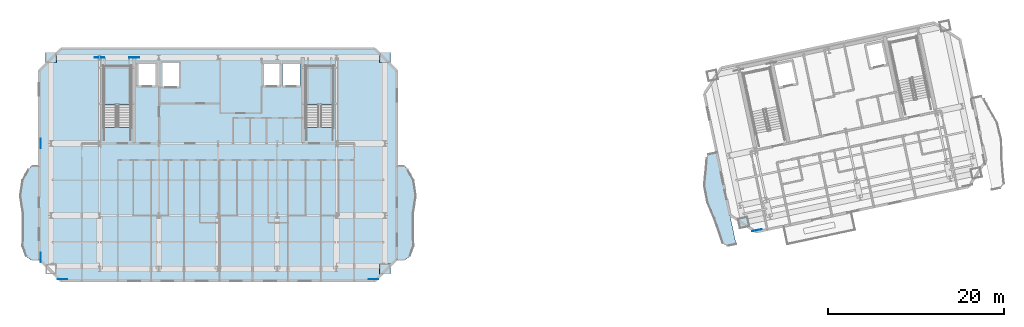
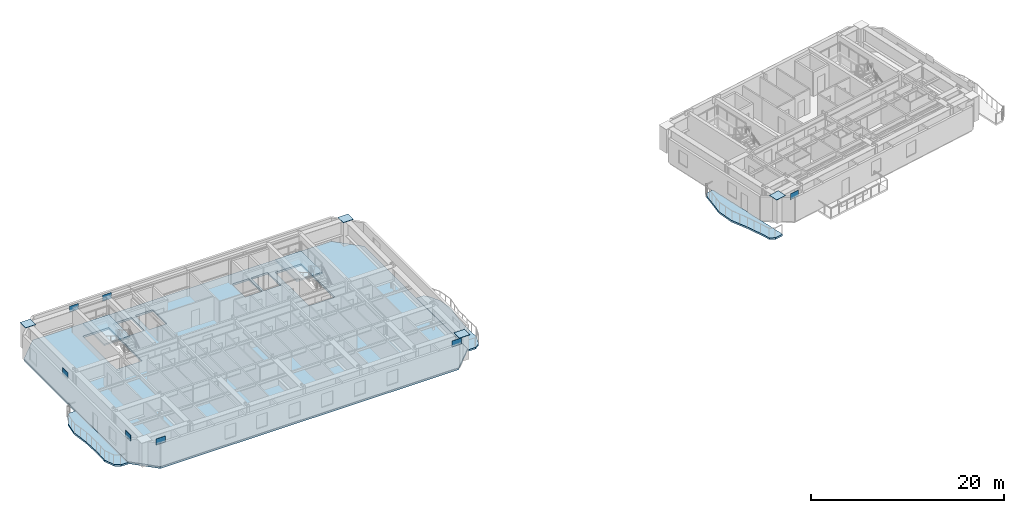
# One storey, part 5 of 16: 11 plates, 6 slabs, 2 elements without a shape of their own.
"""IFC4 building model written with IfcOpenShell, lengths in metres."""

import ifcopenshell
import ifcopenshell.guid

model = None  # the IFC model being written
_history = None  # IfcOwnerHistory: only IFC2X3 demands one
_inside = {}  # id of a spatial element -> (the spatial element, [elements in it])
_under = {}  # id of a project, library or spatial element -> (it, [spatial elements below it])
_declared = {}  # id of a project -> (the project, [libraries it declares])
_typed = {}  # id of a type object -> (the type object, [elements of that type])
_made_of = {}  # id of a material, layer set ... -> (it, [elements and type objects made of it])


def new_model(schema):
    """Start an empty IFC model of exactly this schema.

    Asked for "IFC4X3", IfcOpenShell would pick the latest addendum, in which some entities
    have other attributes; the version numbers below select the first issue.
    IFC2X3 requires an IfcOwnerHistory on every rooted entity: one is made here for all.
    """
    global model, _history
    if schema == "IFC4X3":
        model = ifcopenshell.file(schema_version=(4, 3, 0, 0))
    else:
        model = ifcopenshell.file(schema=schema)
    _inside.clear()
    _under.clear()
    _declared.clear()
    _typed.clear()
    _made_of.clear()
    _history = None
    if model.schema == "IFC2X3":
        org = make("IfcOrganization", Name="unknown")
        user = make(
            "IfcPersonAndOrganization",
            ThePerson=make("IfcPerson", FamilyName="unknown"),
            TheOrganization=org,
        )
        app = make(
            "IfcApplication",
            ApplicationDeveloper=org,
            Version="unknown",
            ApplicationFullName="unknown",
            ApplicationIdentifier="unknown",
        )
        _history = make(
            "IfcOwnerHistory",
            OwningUser=user,
            OwningApplication=app,
            ChangeAction="ADDED",
            CreationDate=0,
        )
    return model


def make(cls, **values):
    """One entity of the class cls with the attributes given. An attribute that is None is left unset."""
    return model.create_entity(
        cls, **{name: value for name, value in values.items() if value is not None}
    )


def rooted(cls, **values):
    """An entity with a GlobalId (a new one), such as an element, a storey or a relation."""
    return make(cls, GlobalId=ifcopenshell.guid.new(), OwnerHistory=_history, **values)


def si_unit(unit_type, name, prefix=None):
    """IfcSIUnit, for example si_unit("LENGTHUNIT", "METRE", prefix="MILLI")."""
    return make("IfcSIUnit", UnitType=unit_type, Prefix=prefix, Name=name)


def assignment(units):
    """IfcUnitAssignment: the units of a project."""
    return None if units is None else make("IfcUnitAssignment", Units=units)


def point(xyz):
    """IfcCartesianPoint."""
    return None if xyz is None else make("IfcCartesianPoint", Coordinates=xyz)


def direction(xyz):
    """IfcDirection."""
    return None if xyz is None else make("IfcDirection", DirectionRatios=xyz)


def frame(location, z_axis=None, x_axis=None):
    """IfcAxis2Placement3D, a coordinate frame: its origin and axes. An axis left out is left unset."""
    return make(
        "IfcAxis2Placement3D",
        Location=point(location),
        Axis=direction(z_axis),
        RefDirection=direction(x_axis),
    )


def frame_2d(location, x_axis=None):
    """IfcAxis2Placement2D, a coordinate frame in the plane: its origin and x axis."""
    return make(
        "IfcAxis2Placement2D", Location=point(location), RefDirection=direction(x_axis)
    )


def origin():
    """The frame at (0, 0, 0) with its axes left unset."""
    return frame((0.0, 0.0, 0.0))


def origin_2d():
    """The frame at (0, 0) in the plane with its x axis left unset."""
    return frame_2d((0.0, 0.0))


def place(relative_to, where):
    """IfcLocalPlacement: puts the frame where relative to a parent placement (None: the world)."""
    return make(
        "IfcLocalPlacement", PlacementRelTo=relative_to, RelativePlacement=where
    )


def context(
    kind, dimensions, precision=None, world=None, true_north=None, identifier=None
):
    """IfcGeometricRepresentationContext, for example the 3D "Model" context."""
    return make(
        "IfcGeometricRepresentationContext",
        ContextIdentifier=identifier,
        ContextType=kind,
        CoordinateSpaceDimension=dimensions,
        Precision=precision,
        WorldCoordinateSystem=world,
        TrueNorth=true_north,
    )


def subcontext(parent, identifier, kind, view, scale=None):
    """IfcGeometricRepresentationSubContext, for example "Body" below "Model"."""
    return make(
        "IfcGeometricRepresentationSubContext",
        ContextIdentifier=identifier,
        ContextType=kind,
        ParentContext=parent,
        TargetScale=scale,
        TargetView=view,
    )


def project(units=None, contexts=None):
    """IfcProject with its units and contexts."""
    return rooted(
        "IfcProject",
        Name="project",
        RepresentationContexts=contexts,
        UnitsInContext=assignment(units),
    )


def spatial(cls, under=None, at=None, **own):
    """A site, building, storey or space (cls), placed at a placement, below another one or the project."""
    s = rooted(cls, ObjectPlacement=at, **own)
    if under is not None:
        _under.setdefault(under.id(), (under, []))[1].append(s)
    return s


def polyline(points):
    """IfcPolyline through the points."""
    return make("IfcPolyline", Points=[point(p) for p in points])


def profile(cls, at=None, kind="AREA", **sizes):
    """A parametric profile (cls). Its sizes go by their IFC names, for example OverallWidth=200.0."""
    return make(cls, ProfileType=kind, Position=at, **sizes)


def rectangle(**sizes):
    """IfcRectangleProfileDef."""
    return profile("IfcRectangleProfileDef", **sizes)


def outline(outer, holes=None, kind="AREA"):
    """IfcArbitraryClosedProfileDef: a profile drawn as a closed curve; with holes, ...WithVoids."""
    if holes is None:
        return make("IfcArbitraryClosedProfileDef", ProfileType=kind, OuterCurve=outer)
    return make(
        "IfcArbitraryProfileDefWithVoids",
        ProfileType=kind,
        OuterCurve=outer,
        InnerCurves=holes,
    )


def extrude(swept, where, along, depth):
    """IfcExtrudedAreaSolid: the profile swept, set in the frame where, extruded along a direction by depth."""
    return make(
        "IfcExtrudedAreaSolid",
        SweptArea=swept,
        Position=where,
        ExtrudedDirection=direction(along),
        Depth=depth,
    )


def shape(context_of_items, identifier, shape_type, items):
    """IfcShapeRepresentation: the items that make up one representation, for example the "Body"."""
    return make(
        "IfcShapeRepresentation",
        ContextOfItems=context_of_items,
        RepresentationIdentifier=identifier,
        RepresentationType=shape_type,
        Items=items,
    )


def material(Name=None, Category=None):
    """IfcMaterial."""
    return make("IfcMaterial", Name=Name, Category=Category)


def layer(
    of_material, thickness, ventilated=None, Name=None, Category=None, Priority=None
):
    """IfcMaterialLayer: one layer of a wall or slab, of a material (None: an air gap)."""
    return make(
        "IfcMaterialLayer",
        Material=of_material,
        LayerThickness=thickness,
        IsVentilated=ventilated,
        Name=Name,
        Category=Category,
        Priority=Priority,
    )


def layer_set(layers, Name=None):
    """IfcMaterialLayerSet."""
    return make("IfcMaterialLayerSet", MaterialLayers=layers, LayerSetName=Name)


def made_of(thing, what):
    """Note that an element or type object is made of a material, layer set ...; save() writes the relation."""
    if what is not None:
        _made_of.setdefault(what.id(), (what, []))[1].append(thing)
    return thing


def type_object(cls, material=None, **own):
    """A type object (cls), such as IfcWallType, which elements share."""
    return made_of(rooted(cls, **own), material)


def element(
    cls,
    number,
    at=None,
    inside=None,
    cuts=None,
    type_object=None,
    material=None,
    context=None,
    identifier="Body",
    shape_type=None,
    held_by="IfcProductDefinitionShape",
    body=None,
    shapes=None,
    **own,
):
    """One element of the class cls, such as IfcWall. Its Tag is "e" and its number.

    at: its placement. inside: the storey or other place that contains it. cuts: it is an
    opening in that element (IfcRelVoidsElement). A single representation is given by context,
    identifier, shape_type and body (its items); several are given by shapes. held_by: the class
    of the entity that holds the representations. save() writes the other relations.
    """
    e = rooted(cls, Tag="e%d" % number, ObjectPlacement=at, **own)
    if body is not None:
        shapes = [shape(context, identifier, shape_type, body)]
    if shapes is not None:
        e.Representation = make(held_by, Representations=shapes)
    if inside is not None:
        _inside.setdefault(inside.id(), (inside, []))[1].append(e)
    if cuts is not None:
        rooted(
            "IfcRelVoidsElement", RelatingBuildingElement=cuts, RelatedOpeningElement=e
        )
    if type_object is not None:
        _typed.setdefault(type_object.id(), (type_object, []))[1].append(e)
    return made_of(e, material)


def aggregate(whole, parts):
    """IfcRelAggregates: a whole, such as a stair, and the parts it consists of."""
    return rooted("IfcRelAggregates", RelatingObject=whole, RelatedObjects=parts)


def save(model, path):
    """Write the relations noted so far, then the file.

    IfcRelAggregates (storeys below a building ...), IfcRelContainedInSpatialStructure (elements
    in a storey), IfcRelDefinesByType, IfcRelAssociatesMaterial and IfcRelDeclares: one each for
    every whole, place, type object, material and project.
    """
    for whole, parts in _under.values():
        aggregate(whole, parts)
    for where, things in _inside.values():
        rooted(
            "IfcRelContainedInSpatialStructure",
            RelatedElements=things,
            RelatingStructure=where,
        )
    for kind, things in _typed.values():
        rooted("IfcRelDefinesByType", RelatedObjects=things, RelatingType=kind)
    for what, things in _made_of.values():
        rooted("IfcRelAssociatesMaterial", RelatedObjects=things, RelatingMaterial=what)
    for by, libraries in _declared.values():
        rooted("IfcRelDeclares", RelatingContext=by, RelatedDefinitions=libraries)
    model.write(path)


model = new_model("IFC4")

# Units and contexts
model_context = context("Model", 3, precision=1e-05, world=origin(), true_north=direction((0.0, 1.0)))
body_context = subcontext(model_context, "Body", "Model", "MODEL_VIEW")
ifc_project = project(units=[si_unit("LENGTHUNIT", "METRE"), si_unit("AREAUNIT", "SQUARE_METRE"), si_unit("VOLUMEUNIT", "CUBIC_METRE"), si_unit("PLANEANGLEUNIT", "RADIAN"), si_unit("MASSUNIT", "GRAM", prefix="KILO")], contexts=[model_context])

# Site, building, storey
site_placement = place(None, origin())
site = spatial("IfcSite", under=ifc_project, at=site_placement, CompositionType="ELEMENT")
building_placement = place(site_placement, origin())
building = spatial("IfcBuilding", under=site, at=building_placement, Name="Haevon Station Towers", CompositionType="ELEMENT")
storey_placement = place(building_placement, frame((0.0, 0.0, 215.39990234375)))
storey = spatial("IfcBuildingStorey", under=building, at=storey_placement, Name="L59", CompositionType="ELEMENT", Elevation=215.39990234375)

# Plates
ifc_material_1 = material(Name="PL-FLG1", Category="steel")
ifc_layer_1 = layer(ifc_material_1, 0.044921875)
ifc_layer_set_1 = layer_set([ifc_layer_1], Name="PL-FLG1")
plate_type_1 = type_object("IfcPlateType", Name="PL-FLG1", PredefinedType="USERDEFINED", material=ifc_layer_set_1)
for number, where, z_axis, x_axis, name in (
    (1, (18.47509765625, 48.0, 3.050048828125), (0.0, 0.0, 1.0), (1.0, 0.0, 0.0), "PL-CAP-T1-L59-01-04"),
    (2, (56.52490234375, 23.89990234375, 3.050048828125), (0.0, 0.0, 1.0), (1.0, 0.0, 0.0), "PL-CAP-T1-L59-07-01"),
    (3, (56.52490234375, 48.0, 3.050048828125), (0.0, 0.0, 1.0), (1.0, 0.0, 0.0), "PL-CAP-T1-L59-07-04"),
    (4, (97.386474609375, 29.1982421875, 3.050048828125), (0.0, 0.0, 1.0), (0.978147600734, 0.207911690818, 0.0), "PL-CAP-T2-L59-01-01"),
):
    element("IfcPlate", number, at=place(storey_placement, frame(where, z_axis=z_axis, x_axis=x_axis)), inside=storey, type_object=plate_type_1, Name=name, ObjectType="FLANGE_PLATE", PredefinedType="USERDEFINED", context=body_context, shape_type="SweptSolid", body=[
        extrude(rectangle(XDim=1.239990234375, YDim=1.139892578125, at=origin_2d()), origin(), (0.0, 0.0, 1.0), 0.0400390625),
    ])
ifc_material_2 = material(Name="PL-SPL1", Category="steel")
ifc_layer_2 = layer(ifc_material_2, 0.031982421875)
ifc_layer_set_2 = layer_set([ifc_layer_2], Name="PL-SPL1")
plate_type_2 = type_object("IfcPlateType", Name="PL-SPL1", PredefinedType="USERDEFINED", material=ifc_layer_set_2)
for number, where, z_axis, x_axis, name in (
    (5, (19.77490234375, 22.72998046875, 2.775146484375), (0.0, 0.0, 1.0), (1.0, 0.0, 0.0), "PL-T1SPL-T08-S-3"),
    (6, (55.22509765625, 22.72998046875, 2.775146484375), (0.0, 0.0, 1.0), (1.0, 0.0, 0.0), "PL-T1SPL-T08-S-4"),
    (7, (24.0, 48.0, 2.775146484375), (0.0, 0.0, 1.0), (1.0, 0.0, 0.0), "PL-T1SPL-T08-N-3"),
    (8, (27.949951171875, 48.0, 2.775146484375), (0.0, 0.0, 1.0), (1.0, 0.0, 0.0), "PL-T1SPL-T08-N-4"),
    (9, (17.304931640625, 25.199951171875, 2.775146484375), (0.0, 0.0, 1.0), (0.0, 1.0, 0.0), "PL-T1SPL-T08-W-3"),
    (10, (17.304931640625, 38.199951171875, 2.775146484375), (0.0, 0.0, 1.0), (0.0, 1.0, 0.0), "PL-T1SPL-T08-W-4"),
    (11, (98.9013671875, 28.32421875, 2.775146484375), (0.0, 0.0, 1.0), (0.978147600734, 0.207911690818, 0.0), "PL-T2SPL-T08-S-3"),
):
    element("IfcPlate", number, at=place(storey_placement, frame(where, z_axis=z_axis, x_axis=x_axis)), inside=storey, type_object=plate_type_2, Name=name, ObjectType="SPLICE_PLATE", PredefinedType="USERDEFINED", context=body_context, shape_type="SweptSolid", body=[
        extrude(rectangle(XDim=1.10009765625, YDim=0.031982421875, at=origin_2d()), origin(), (0.0, 0.0, 1.0), 0.75),
    ])

# Slabs
ifc_material_3 = material(Name="Concrete C40/50", Category="concrete")
ifc_layer_3 = layer(ifc_material_3, 0.219970703125)
ifc_layer_set_3 = layer_set([ifc_layer_3], Name="Concrete C40/50")
slab_type_1 = type_object("IfcSlabType", Name="SL-BALC220", PredefinedType="FLOOR", material=ifc_layer_set_3)
slab_1_placement = place(storey_placement, frame((0.0, 0.0, -0.219970703125)))
element("IfcSlab", 12, at=slab_1_placement, inside=storey, type_object=slab_type_1, Name="Tower 1 L59 West SCALLOPED BALCONY", PredefinedType="FLOOR", context=body_context, shape_type="SweptSolid", body=[
    extrude(outline(polyline([(17.1201171875, 35.675048828125), (16.27001953125, 35.675048828125), (15.886962890625, 35.263916015625), (15.227783203125, 34.09326171875), (14.941162109375, 32.341552734375), (15.199462890625, 30.27490234375), (15.2841796875, 28.20849609375), (15.227783203125, 26.45654296875), (15.65673828125, 25.2861328125), (16.27001953125, 24.875), (17.1201171875, 24.875), (17.1201171875, 35.675048828125)])), origin(), (0.0, 0.0, 1.0), 0.219970703125),
])
slab_2_placement = place(storey_placement, frame((0.0, 0.0, -0.219970703125)))
element("IfcSlab", 13, at=slab_2_placement, inside=storey, type_object=slab_type_1, Name="Tower 1 L59 East SCALLOPED BALCONY", PredefinedType="FLOOR", context=body_context, shape_type="SweptSolid", body=[
    extrude(outline(polyline([(57.8798828125, 24.875), (58.72998046875, 24.875), (59.34326171875, 25.2861328125), (59.772216796875, 26.45654296875), (59.7158203125, 28.20849609375), (59.800537109375, 30.27490234375), (60.058837890625, 32.341552734375), (59.772216796875, 34.09326171875), (59.113037109375, 35.263916015625), (58.72998046875, 35.675048828125), (57.8798828125, 35.675048828125), (57.8798828125, 24.875)])), origin(), (0.0, 0.0, 1.0), 0.219970703125),
])
slab_3_placement = place(storey_placement, frame((0.0, 0.0, -0.219970703125)))
element("IfcSlab", 14, at=slab_3_placement, inside=storey, type_object=slab_type_1, Name="Tower 2 L59 West SCALLOPED BALCONY", PredefinedType="FLOOR", context=body_context, shape_type="SweptSolid", body=[
    extrude(outline(polyline([(94.290771484375, 37.24560546875), (93.354248046875, 37.04638671875), (93.170166015625, 36.587158203125), (93.06005859375, 35.366943359375), (92.852783203125, 33.53173828125), (93.183837890625, 31.489501953125), (94.047607421875, 29.560546875), (94.64794921875, 27.89697265625), (95.01953125, 26.779296875), (95.599853515625, 26.482421875), (96.5361328125, 26.681396484375), (94.290771484375, 37.24560546875)])), origin(), (0.0, 0.0, 1.0), 0.219970703125),
])

# Stair, slab
stair_type = type_object("IfcStairType", Name="STR-DL1450", PredefinedType="USERDEFINED", material=ifc_material_3)
stair_1_placement = place(storey_placement, origin())
stair_1 = element("IfcStair", 15, at=stair_1_placement, inside=storey, type_object=stair_type, Name="L59 Escape Stair ST1", ObjectType="TWO_RETURN_STAIR", PredefinedType="USERDEFINED")
ifc_layer_4 = layer(ifc_material_3, 0.199951171875)
ifc_layer_set_4 = layer_set([ifc_layer_4], Name="Concrete C40/50")
slab_type_2 = type_object("IfcSlabType", Name="SL-LND200", PredefinedType="LANDING", material=ifc_layer_set_4)
slab_4_placement = place(storey_placement, frame((0.0, 0.0, 1.4501953125)))
slab_4 = element("IfcSlab", 16, at=slab_4_placement, type_object=slab_type_2, Name="L59 ST1 Half Landing 1", PredefinedType="LANDING", context=body_context, shape_type="SweptSolid", body=[
    extrude(outline(polyline([(27.580078125, 42.56396484375), (27.580078125, 47.0), (24.47998046875, 47.0), (24.47998046875, 42.56396484375), (27.580078125, 42.56396484375)])), origin(), (0.0, 0.0, 1.0), 0.199951171875),
])
aggregate(stair_1, [slab_4])

stair_2_placement = place(storey_placement, origin())
stair_2 = element("IfcStair", 17, at=stair_2_placement, inside=storey, type_object=stair_type, Name="L59 Escape Stair ST2", ObjectType="TWO_RETURN_STAIR", PredefinedType="USERDEFINED")
slab_5_placement = place(storey_placement, frame((0.0, 0.0, 1.4501953125)))
slab_5 = element("IfcSlab", 18, at=slab_5_placement, type_object=slab_type_2, Name="L59 ST2 Half Landing 1", PredefinedType="LANDING", context=body_context, shape_type="SweptSolid", body=[
    extrude(outline(polyline([(50.6201171875, 42.56396484375), (50.6201171875, 47.0), (47.52001953125, 47.0), (47.52001953125, 42.56396484375), (50.6201171875, 42.56396484375)])), origin(), (0.0, 0.0, 1.0), 0.199951171875),
])
aggregate(stair_2, [slab_5])

# Slab
ifc_layer_5 = layer(ifc_material_3, 0.25)
ifc_layer_set_5 = layer_set([ifc_layer_5], Name="Concrete C40/50")
slab_type_3 = type_object("IfcSlabType", Name="SL-TW250", PredefinedType="FLOOR", material=ifc_layer_set_5)
slab_6_placement = place(storey_placement, frame((0.0, 0.0, -0.25)))
element("IfcSlab", 19, at=slab_6_placement, inside=storey, type_object=slab_type_3, Name="SL-T1-L59", PredefinedType="FLOOR", context=body_context, shape_type="SweptSolid", body=[
    extrude(outline(polyline([(19.625, 22.550048828125), (55.375, 22.550048828125), (57.875, 25.050048828125), (57.875, 46.5), (55.375, 49.0), (19.625, 49.0), (17.125, 46.5), (17.125, 25.050048828125), (19.625, 22.550048828125)]), holes=[polyline([(27.580078125, 40.055908203125), (27.580078125, 47.0), (24.47998046875, 47.0), (24.47998046875, 40.055908203125), (27.580078125, 40.055908203125)]), polyline([(50.6201171875, 40.055908203125), (50.6201171875, 47.0), (47.52001953125, 47.0), (47.52001953125, 40.055908203125), (50.6201171875, 40.055908203125)]), polyline([(28.300048828125, 44.699951171875), (30.5, 44.699951171875), (30.5, 47.39990234375), (28.300048828125, 47.39990234375), (28.300048828125, 44.699951171875)]), polyline([(31.050048828125, 44.60009765625), (33.14990234375, 44.60009765625), (33.14990234375, 47.5), (31.050048828125, 47.5), (31.050048828125, 44.60009765625)]), polyline([(42.60009765625, 44.699951171875), (44.60009765625, 44.699951171875), (44.60009765625, 47.39990234375), (42.60009765625, 47.39990234375), (42.60009765625, 44.699951171875)]), polyline([(44.85009765625, 44.699951171875), (46.85009765625, 44.699951171875), (46.85009765625, 47.39990234375), (44.85009765625, 47.39990234375), (44.85009765625, 44.699951171875)])]), origin(), (0.0, 0.0, 1.0), 0.25),
])

save(model, "model.ifc")
